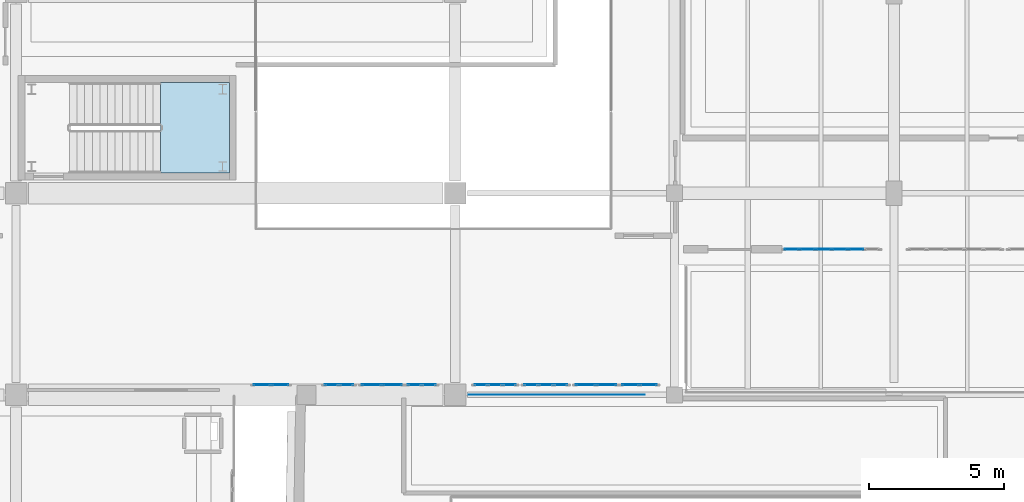
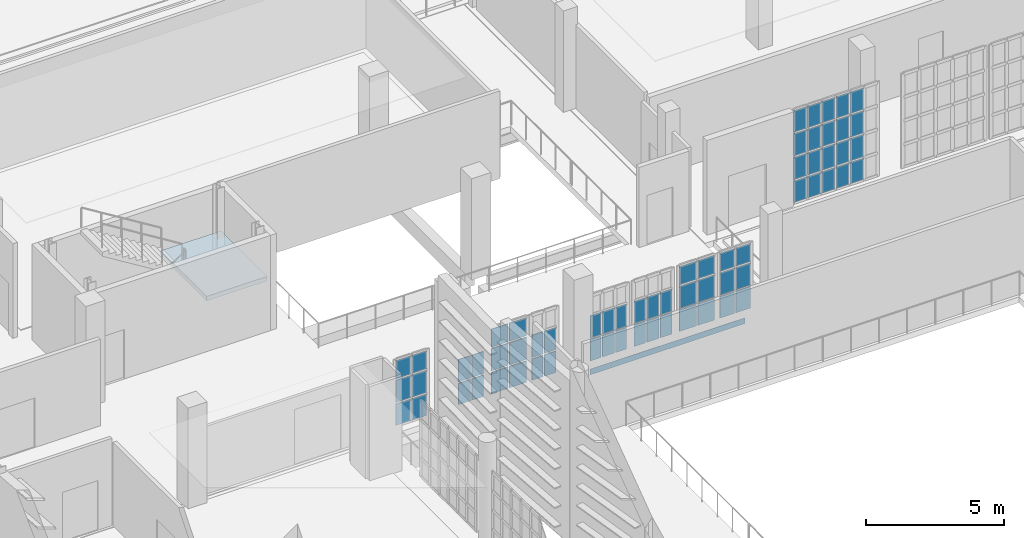
# One storey, part 50 of 73: 64 plates, 2 slabs, 10 elements without a shape of their own.
"""IFC4 building model written with IfcOpenShell, lengths in metres."""

from ifc_helpers import new_model, si_unit, direction, frame, origin, origin_2d, place, context, subcontext, project, spatial, polyline, rectangle, outline, extrude, material, layer, layer_set, type_object, element, aggregate, save


model = new_model("IFC4")

# Units and contexts
model_context = context("Model", 3, precision=1e-05, world=origin(), true_north=direction((0.0, 1.0)))
body_context = subcontext(model_context, "Body", "Model", "MODEL_VIEW")
ifc_project = project(units=[si_unit("LENGTHUNIT", "METRE"), si_unit("AREAUNIT", "SQUARE_METRE"), si_unit("VOLUMEUNIT", "CUBIC_METRE"), si_unit("PLANEANGLEUNIT", "RADIAN"), si_unit("MASSUNIT", "GRAM", prefix="KILO")], contexts=[model_context])

# Site, building, storey
site_placement = place(None, origin())
site = spatial("IfcSite", under=ifc_project, at=site_placement, CompositionType="ELEMENT")
building_placement = place(site_placement, origin())
building = spatial("IfcBuilding", under=site, at=building_placement, Name="Kaelora Sail Theatre", CompositionType="ELEMENT")
storey_placement = place(building_placement, frame((0.0, 0.0, 10.199951171875)))
storey = spatial("IfcBuildingStorey", under=building, at=storey_placement, Name="L02", CompositionType="ELEMENT", Elevation=10.199951171875)

# Curtain wall, plates
ifc_material_1 = material(Name="Anodised aluminium and solar-control low-E IGU", Category="aluminium")
curtain_wall_type = type_object("IfcCurtainWallType", Name="ARC-CW-CW-BRG", PredefinedType="NOTDEFINED", material=ifc_material_1)
curtain_wall_1_placement = place(storey_placement, origin())
curtain_wall_1 = element("IfcCurtainWall", 1, at=curtain_wall_1_placement, inside=storey, type_object=curtain_wall_type, Name="Glazed Foyer/Conservatory Curtain Wall FC1-S-L02-01", PredefinedType="NOTDEFINED")
ifc_material_2 = material(Name="Solar-control laminated low-E glass", Category="glass")
ifc_layer_1 = layer(ifc_material_2, 0.031982421875)
ifc_layer_set_1 = layer_set([ifc_layer_1], Name="Solar-control laminated low-E glass")
plate_type = type_object("IfcPlateType", Name="ARC-CW-PNL", PredefinedType="CURTAIN_PANEL", material=ifc_layer_set_1)
plate_1_placement = place(storey_placement, frame((75.367431640625, 61.389892578125, 0.06982421875), z_axis=(0.0, 0.0, 1.0), x_axis=(1.0, 0.0, 0.0)))
plate_1 = element("IfcPlate", 2, at=plate_1_placement, type_object=plate_type, Name="CW-BRG panel 1.1", PredefinedType="CURTAIN_PANEL", context=body_context, shape_type="SweptSolid", body=[
    extrude(rectangle(XDim=0.614990234375, YDim=0.031982421875, at=origin_2d()), origin(), (0.0, 0.0, 1.0), 0.947509765625),
])
plate_2_placement = place(storey_placement, frame((75.367431640625, 61.389892578125, 1.08740234375), z_axis=(0.0, 0.0, 1.0), x_axis=(1.0, 0.0, 0.0)))
plate_2 = element("IfcPlate", 3, at=plate_2_placement, type_object=plate_type, Name="CW-BRG panel 1.2", PredefinedType="CURTAIN_PANEL", context=body_context, shape_type="SweptSolid", body=[
    extrude(rectangle(XDim=0.614990234375, YDim=0.031982421875, at=origin_2d()), origin(), (0.0, 0.0, 1.0), 0.982421875),
])
plate_3_placement = place(storey_placement, frame((75.367431640625, 61.389892578125, 2.14013671875), z_axis=(0.0, 0.0, 1.0), x_axis=(1.0, 0.0, 0.0)))
plate_3 = element("IfcPlate", 4, at=plate_3_placement, type_object=plate_type, Name="CW-BRG panel 1.3", PredefinedType="CURTAIN_PANEL", context=body_context, shape_type="SweptSolid", body=[
    extrude(rectangle(XDim=0.614990234375, YDim=0.031982421875, at=origin_2d()), origin(), (0.0, 0.0, 1.0), 0.797119140625),
])
plate_4_placement = place(storey_placement, frame((76.04248046875, 61.389892578125, 0.06982421875), z_axis=(0.0, 0.0, 1.0), x_axis=(1.0, 0.0, 0.0)))
plate_4 = element("IfcPlate", 5, at=plate_4_placement, type_object=plate_type, Name="CW-BRG panel 2.1", PredefinedType="CURTAIN_PANEL", context=body_context, shape_type="SweptSolid", body=[
    extrude(rectangle(XDim=0.614990234375, YDim=0.031982421875, at=origin_2d()), origin(), (0.0, 0.0, 1.0), 0.947509765625),
])
plate_5_placement = place(storey_placement, frame((76.04248046875, 61.389892578125, 1.08740234375), z_axis=(0.0, 0.0, 1.0), x_axis=(1.0, 0.0, 0.0)))
plate_5 = element("IfcPlate", 6, at=plate_5_placement, type_object=plate_type, Name="CW-BRG panel 2.2", PredefinedType="CURTAIN_PANEL", context=body_context, shape_type="SweptSolid", body=[
    extrude(rectangle(XDim=0.614990234375, YDim=0.031982421875, at=origin_2d()), origin(), (0.0, 0.0, 1.0), 0.982421875),
])
plate_6_placement = place(storey_placement, frame((76.04248046875, 61.389892578125, 2.14013671875), z_axis=(0.0, 0.0, 1.0), x_axis=(1.0, 0.0, 0.0)))
plate_6 = element("IfcPlate", 7, at=plate_6_placement, type_object=plate_type, Name="CW-BRG panel 2.3", PredefinedType="CURTAIN_PANEL", context=body_context, shape_type="SweptSolid", body=[
    extrude(rectangle(XDim=0.614990234375, YDim=0.031982421875, at=origin_2d()), origin(), (0.0, 0.0, 1.0), 0.797119140625),
])
aggregate(curtain_wall_1, [plate_1, plate_2, plate_3, plate_4, plate_5, plate_6])

curtain_wall_2_placement = place(storey_placement, origin())
curtain_wall_2 = element("IfcCurtainWall", 8, at=curtain_wall_2_placement, inside=storey, type_object=curtain_wall_type, Name="Glazed Foyer/Conservatory Curtain Wall FC1-S-L02-02", PredefinedType="NOTDEFINED")
plate_7_placement = place(storey_placement, frame((77.9375, 61.389892578125, 0.06982421875), z_axis=(0.0, 0.0, 1.0), x_axis=(1.0, 0.0, 0.0)))
plate_7 = element("IfcPlate", 9, at=plate_7_placement, type_object=plate_type, Name="CW-BRG panel 1.1", PredefinedType="CURTAIN_PANEL", context=body_context, shape_type="SweptSolid", body=[
    extrude(rectangle(XDim=0.4951171875, YDim=0.031982421875, at=origin_2d()), origin(), (0.0, 0.0, 1.0), 0.947509765625),
])
plate_8_placement = place(storey_placement, frame((77.9375, 61.389892578125, 1.08740234375), z_axis=(0.0, 0.0, 1.0), x_axis=(1.0, 0.0, 0.0)))
plate_8 = element("IfcPlate", 10, at=plate_8_placement, type_object=plate_type, Name="CW-BRG panel 1.2", PredefinedType="CURTAIN_PANEL", context=body_context, shape_type="SweptSolid", body=[
    extrude(rectangle(XDim=0.4951171875, YDim=0.031982421875, at=origin_2d()), origin(), (0.0, 0.0, 1.0), 0.982421875),
])
plate_9_placement = place(storey_placement, frame((78.492431640625, 61.389892578125, 0.06982421875), z_axis=(0.0, 0.0, 1.0), x_axis=(1.0, 0.0, 0.0)))
plate_9 = element("IfcPlate", 11, at=plate_9_placement, type_object=plate_type, Name="CW-BRG panel 2.1", PredefinedType="CURTAIN_PANEL", context=body_context, shape_type="SweptSolid", body=[
    extrude(rectangle(XDim=0.4951171875, YDim=0.031982421875, at=origin_2d()), origin(), (0.0, 0.0, 1.0), 0.947509765625),
])
plate_10_placement = place(storey_placement, frame((78.492431640625, 61.389892578125, 1.08740234375), z_axis=(0.0, 0.0, 1.0), x_axis=(1.0, 0.0, 0.0)))
plate_10 = element("IfcPlate", 12, at=plate_10_placement, type_object=plate_type, Name="CW-BRG panel 2.2", PredefinedType="CURTAIN_PANEL", context=body_context, shape_type="SweptSolid", body=[
    extrude(rectangle(XDim=0.4951171875, YDim=0.031982421875, at=origin_2d()), origin(), (0.0, 0.0, 1.0), 0.982421875),
])
aggregate(curtain_wall_2, [plate_7, plate_8, plate_9, plate_10])

curtain_wall_3_placement = place(storey_placement, origin())
curtain_wall_3 = element("IfcCurtainWall", 13, at=curtain_wall_3_placement, inside=storey, type_object=curtain_wall_type, Name="Glazed Foyer/Conservatory Curtain Wall FC1-S-L02-03", PredefinedType="NOTDEFINED")
plate_11_placement = place(storey_placement, frame((79.4150390625, 61.389892578125, 0.06982421875), z_axis=(0.0, 0.0, 1.0), x_axis=(1.0, 0.0, 0.0)))
plate_11 = element("IfcPlate", 14, at=plate_11_placement, type_object=plate_type, Name="CW-BRG panel 1.1", PredefinedType="CURTAIN_PANEL", context=body_context, shape_type="SweptSolid", body=[
    extrude(rectangle(XDim=0.7099609375, YDim=0.031982421875, at=origin_2d()), origin(), (0.0, 0.0, 1.0), 0.947509765625),
])
plate_12_placement = place(storey_placement, frame((79.4150390625, 61.389892578125, 1.08740234375), z_axis=(0.0, 0.0, 1.0), x_axis=(1.0, 0.0, 0.0)))
plate_12 = element("IfcPlate", 15, at=plate_12_placement, type_object=plate_type, Name="CW-BRG panel 1.2", PredefinedType="CURTAIN_PANEL", context=body_context, shape_type="SweptSolid", body=[
    extrude(rectangle(XDim=0.7099609375, YDim=0.031982421875, at=origin_2d()), origin(), (0.0, 0.0, 1.0), 0.982421875),
])
plate_13_placement = place(storey_placement, frame((79.4150390625, 61.389892578125, 2.14013671875), z_axis=(0.0, 0.0, 1.0), x_axis=(1.0, 0.0, 0.0)))
plate_13 = element("IfcPlate", 16, at=plate_13_placement, type_object=plate_type, Name="CW-BRG panel 1.3", PredefinedType="CURTAIN_PANEL", context=body_context, shape_type="SweptSolid", body=[
    extrude(rectangle(XDim=0.7099609375, YDim=0.031982421875, at=origin_2d()), origin(), (0.0, 0.0, 1.0), 0.797119140625),
])
plate_14_placement = place(storey_placement, frame((80.18505859375, 61.389892578125, 0.06982421875), z_axis=(0.0, 0.0, 1.0), x_axis=(1.0, 0.0, 0.0)))
plate_14 = element("IfcPlate", 17, at=plate_14_placement, type_object=plate_type, Name="CW-BRG panel 2.1", PredefinedType="CURTAIN_PANEL", context=body_context, shape_type="SweptSolid", body=[
    extrude(rectangle(XDim=0.7099609375, YDim=0.031982421875, at=origin_2d()), origin(), (0.0, 0.0, 1.0), 0.947509765625),
])
plate_15_placement = place(storey_placement, frame((80.18505859375, 61.389892578125, 1.08740234375), z_axis=(0.0, 0.0, 1.0), x_axis=(1.0, 0.0, 0.0)))
plate_15 = element("IfcPlate", 18, at=plate_15_placement, type_object=plate_type, Name="CW-BRG panel 2.2", PredefinedType="CURTAIN_PANEL", context=body_context, shape_type="SweptSolid", body=[
    extrude(rectangle(XDim=0.7099609375, YDim=0.031982421875, at=origin_2d()), origin(), (0.0, 0.0, 1.0), 0.982421875),
])
plate_16_placement = place(storey_placement, frame((80.18505859375, 61.389892578125, 2.14013671875), z_axis=(0.0, 0.0, 1.0), x_axis=(1.0, 0.0, 0.0)))
plate_16 = element("IfcPlate", 19, at=plate_16_placement, type_object=plate_type, Name="CW-BRG panel 2.3", PredefinedType="CURTAIN_PANEL", context=body_context, shape_type="SweptSolid", body=[
    extrude(rectangle(XDim=0.7099609375, YDim=0.031982421875, at=origin_2d()), origin(), (0.0, 0.0, 1.0), 0.797119140625),
])
aggregate(curtain_wall_3, [plate_11, plate_12, plate_13, plate_14, plate_15, plate_16])

curtain_wall_4_placement = place(storey_placement, origin())
curtain_wall_4 = element("IfcCurtainWall", 20, at=curtain_wall_4_placement, inside=storey, type_object=curtain_wall_type, Name="Glazed Foyer/Conservatory Curtain Wall FC1-S-L02-04", PredefinedType="NOTDEFINED")
plate_17_placement = place(storey_placement, frame((81.0, 61.389892578125, 0.06982421875), z_axis=(0.0, 0.0, 1.0), x_axis=(1.0, 0.0, 0.0)))
plate_17 = element("IfcPlate", 21, at=plate_17_placement, type_object=plate_type, Name="CW-BRG panel 1.1", PredefinedType="CURTAIN_PANEL", context=body_context, shape_type="SweptSolid", body=[
    extrude(rectangle(XDim=0.47998046875, YDim=0.031982421875, at=origin_2d()), origin(), (0.0, 0.0, 1.0), 0.947509765625),
])
plate_18_placement = place(storey_placement, frame((81.0, 61.389892578125, 1.08740234375), z_axis=(0.0, 0.0, 1.0), x_axis=(1.0, 0.0, 0.0)))
plate_18 = element("IfcPlate", 22, at=plate_18_placement, type_object=plate_type, Name="CW-BRG panel 1.2", PredefinedType="CURTAIN_PANEL", context=body_context, shape_type="SweptSolid", body=[
    extrude(rectangle(XDim=0.47998046875, YDim=0.031982421875, at=origin_2d()), origin(), (0.0, 0.0, 1.0), 0.982421875),
])
plate_19_placement = place(storey_placement, frame((81.5400390625, 61.389892578125, 0.06982421875), z_axis=(0.0, 0.0, 1.0), x_axis=(1.0, 0.0, 0.0)))
plate_19 = element("IfcPlate", 23, at=plate_19_placement, type_object=plate_type, Name="CW-BRG panel 2.1", PredefinedType="CURTAIN_PANEL", context=body_context, shape_type="SweptSolid", body=[
    extrude(rectangle(XDim=0.47998046875, YDim=0.031982421875, at=origin_2d()), origin(), (0.0, 0.0, 1.0), 0.947509765625),
])
plate_20_placement = place(storey_placement, frame((81.5400390625, 61.389892578125, 1.08740234375), z_axis=(0.0, 0.0, 1.0), x_axis=(1.0, 0.0, 0.0)))
plate_20 = element("IfcPlate", 24, at=plate_20_placement, type_object=plate_type, Name="CW-BRG panel 2.2", PredefinedType="CURTAIN_PANEL", context=body_context, shape_type="SweptSolid", body=[
    extrude(rectangle(XDim=0.47998046875, YDim=0.031982421875, at=origin_2d()), origin(), (0.0, 0.0, 1.0), 0.982421875),
])
aggregate(curtain_wall_4, [plate_17, plate_18, plate_19, plate_20])

curtain_wall_5_placement = place(storey_placement, origin())
curtain_wall_5 = element("IfcCurtainWall", 25, at=curtain_wall_5_placement, inside=storey, type_object=curtain_wall_type, Name="Glazed Foyer/Conservatory Curtain Wall FC1-S-L02-05", PredefinedType="NOTDEFINED")
plate_21_placement = place(storey_placement, frame((83.4482421875, 61.389892578125, 0.06982421875), z_axis=(0.0, 0.0, 1.0), x_axis=(1.0, 0.0, 0.0)))
plate_21 = element("IfcPlate", 26, at=plate_21_placement, type_object=plate_type, Name="CW-BRG panel 1.1", PredefinedType="CURTAIN_PANEL", context=body_context, shape_type="SweptSolid", body=[
    extrude(rectangle(XDim=0.456787109375, YDim=0.031982421875, at=origin_2d()), origin(), (0.0, 0.0, 1.0), 0.947509765625),
])
plate_22_placement = place(storey_placement, frame((83.4482421875, 61.389892578125, 1.08740234375), z_axis=(0.0, 0.0, 1.0), x_axis=(1.0, 0.0, 0.0)))
plate_22 = element("IfcPlate", 27, at=plate_22_placement, type_object=plate_type, Name="CW-BRG panel 1.2", PredefinedType="CURTAIN_PANEL", context=body_context, shape_type="SweptSolid", body=[
    extrude(rectangle(XDim=0.456787109375, YDim=0.031982421875, at=origin_2d()), origin(), (0.0, 0.0, 1.0), 0.982421875),
])
plate_23_placement = place(storey_placement, frame((83.97998046875, 61.389892578125, 0.06982421875), z_axis=(0.0, 0.0, 1.0), x_axis=(1.0, 0.0, 0.0)))
plate_23 = element("IfcPlate", 28, at=plate_23_placement, type_object=plate_type, Name="CW-BRG panel 2.1", PredefinedType="CURTAIN_PANEL", context=body_context, shape_type="SweptSolid", body=[
    extrude(rectangle(XDim=0.486572265625, YDim=0.031982421875, at=origin_2d()), origin(), (0.0, 0.0, 1.0), 0.947509765625),
])
plate_24_placement = place(storey_placement, frame((83.97998046875, 61.389892578125, 1.08740234375), z_axis=(0.0, 0.0, 1.0), x_axis=(1.0, 0.0, 0.0)))
plate_24 = element("IfcPlate", 29, at=plate_24_placement, type_object=plate_type, Name="CW-BRG panel 2.2", PredefinedType="CURTAIN_PANEL", context=body_context, shape_type="SweptSolid", body=[
    extrude(rectangle(XDim=0.486572265625, YDim=0.031982421875, at=origin_2d()), origin(), (0.0, 0.0, 1.0), 0.982421875),
])
plate_25_placement = place(storey_placement, frame((84.51171875, 61.389892578125, 0.06982421875), z_axis=(0.0, 0.0, 1.0), x_axis=(1.0, 0.0, 0.0)))
plate_25 = element("IfcPlate", 30, at=plate_25_placement, type_object=plate_type, Name="CW-BRG panel 3.1", PredefinedType="CURTAIN_PANEL", context=body_context, shape_type="SweptSolid", body=[
    extrude(rectangle(XDim=0.456787109375, YDim=0.031982421875, at=origin_2d()), origin(), (0.0, 0.0, 1.0), 0.947509765625),
])
plate_26_placement = place(storey_placement, frame((84.51171875, 61.389892578125, 1.08740234375), z_axis=(0.0, 0.0, 1.0), x_axis=(1.0, 0.0, 0.0)))
plate_26 = element("IfcPlate", 31, at=plate_26_placement, type_object=plate_type, Name="CW-BRG panel 3.2", PredefinedType="CURTAIN_PANEL", context=body_context, shape_type="SweptSolid", body=[
    extrude(rectangle(XDim=0.456787109375, YDim=0.031982421875, at=origin_2d()), origin(), (0.0, 0.0, 1.0), 0.982421875),
])
aggregate(curtain_wall_5, [plate_21, plate_22, plate_23, plate_24, plate_25, plate_26])

curtain_wall_6_placement = place(storey_placement, origin())
curtain_wall_6 = element("IfcCurtainWall", 32, at=curtain_wall_6_placement, inside=storey, type_object=curtain_wall_type, Name="Glazed Foyer/Conservatory Curtain Wall FC1-S-L02-06", PredefinedType="NOTDEFINED")
plate_27_placement = place(storey_placement, frame((85.29833984375, 61.389892578125, 0.06982421875), z_axis=(0.0, 0.0, 1.0), x_axis=(1.0, 0.0, 0.0)))
plate_27 = element("IfcPlate", 33, at=plate_27_placement, type_object=plate_type, Name="CW-BRG panel 1.1", PredefinedType="CURTAIN_PANEL", context=body_context, shape_type="SweptSolid", body=[
    extrude(rectangle(XDim=0.4765625, YDim=0.031982421875, at=origin_2d()), origin(), (0.0, 0.0, 1.0), 0.947509765625),
])
plate_28_placement = place(storey_placement, frame((85.29833984375, 61.389892578125, 1.08740234375), z_axis=(0.0, 0.0, 1.0), x_axis=(1.0, 0.0, 0.0)))
plate_28 = element("IfcPlate", 34, at=plate_28_placement, type_object=plate_type, Name="CW-BRG panel 1.2", PredefinedType="CURTAIN_PANEL", context=body_context, shape_type="SweptSolid", body=[
    extrude(rectangle(XDim=0.4765625, YDim=0.031982421875, at=origin_2d()), origin(), (0.0, 0.0, 1.0), 0.982421875),
])
plate_29_placement = place(storey_placement, frame((85.85009765625, 61.389892578125, 0.06982421875), z_axis=(0.0, 0.0, 1.0), x_axis=(1.0, 0.0, 0.0)))
plate_29 = element("IfcPlate", 35, at=plate_29_placement, type_object=plate_type, Name="CW-BRG panel 2.1", PredefinedType="CURTAIN_PANEL", context=body_context, shape_type="SweptSolid", body=[
    extrude(rectangle(XDim=0.506591796875, YDim=0.031982421875, at=origin_2d()), origin(), (0.0, 0.0, 1.0), 0.947509765625),
])
plate_30_placement = place(storey_placement, frame((85.85009765625, 61.389892578125, 1.08740234375), z_axis=(0.0, 0.0, 1.0), x_axis=(1.0, 0.0, 0.0)))
plate_30 = element("IfcPlate", 36, at=plate_30_placement, type_object=plate_type, Name="CW-BRG panel 2.2", PredefinedType="CURTAIN_PANEL", context=body_context, shape_type="SweptSolid", body=[
    extrude(rectangle(XDim=0.506591796875, YDim=0.031982421875, at=origin_2d()), origin(), (0.0, 0.0, 1.0), 0.982421875),
])
plate_31_placement = place(storey_placement, frame((86.401611328125, 61.389892578125, 0.06982421875), z_axis=(0.0, 0.0, 1.0), x_axis=(1.0, 0.0, 0.0)))
plate_31 = element("IfcPlate", 37, at=plate_31_placement, type_object=plate_type, Name="CW-BRG panel 3.1", PredefinedType="CURTAIN_PANEL", context=body_context, shape_type="SweptSolid", body=[
    extrude(rectangle(XDim=0.4765625, YDim=0.031982421875, at=origin_2d()), origin(), (0.0, 0.0, 1.0), 0.947509765625),
])
plate_32_placement = place(storey_placement, frame((86.401611328125, 61.389892578125, 1.08740234375), z_axis=(0.0, 0.0, 1.0), x_axis=(1.0, 0.0, 0.0)))
plate_32 = element("IfcPlate", 38, at=plate_32_placement, type_object=plate_type, Name="CW-BRG panel 3.2", PredefinedType="CURTAIN_PANEL", context=body_context, shape_type="SweptSolid", body=[
    extrude(rectangle(XDim=0.4765625, YDim=0.031982421875, at=origin_2d()), origin(), (0.0, 0.0, 1.0), 0.982421875),
])
aggregate(curtain_wall_6, [plate_27, plate_28, plate_29, plate_30, plate_31, plate_32])

curtain_wall_7_placement = place(storey_placement, origin())
curtain_wall_7 = element("IfcCurtainWall", 39, at=curtain_wall_7_placement, inside=storey, type_object=curtain_wall_type, Name="Glazed Foyer/Conservatory Curtain Wall FC1-S-L02-07", PredefinedType="NOTDEFINED")
plate_33_placement = place(storey_placement, frame((87.31494140625, 61.389892578125, 0.06982421875), z_axis=(0.0, 0.0, 1.0), x_axis=(1.0, 0.0, 0.0)))
plate_33 = element("IfcPlate", 40, at=plate_33_placement, type_object=plate_type, Name="CW-BRG panel 1.1", PredefinedType="CURTAIN_PANEL", context=body_context, shape_type="SweptSolid", body=[
    extrude(rectangle(XDim=0.7099609375, YDim=0.031982421875, at=origin_2d()), origin(), (0.0, 0.0, 1.0), 0.947509765625),
])
plate_34_placement = place(storey_placement, frame((87.31494140625, 61.389892578125, 1.08740234375), z_axis=(0.0, 0.0, 1.0), x_axis=(1.0, 0.0, 0.0)))
plate_34 = element("IfcPlate", 41, at=plate_34_placement, type_object=plate_type, Name="CW-BRG panel 1.2", PredefinedType="CURTAIN_PANEL", context=body_context, shape_type="SweptSolid", body=[
    extrude(rectangle(XDim=0.7099609375, YDim=0.031982421875, at=origin_2d()), origin(), (0.0, 0.0, 1.0), 0.982421875),
])
plate_35_placement = place(storey_placement, frame((87.31494140625, 61.389892578125, 2.14013671875), z_axis=(0.0, 0.0, 1.0), x_axis=(1.0, 0.0, 0.0)))
plate_35 = element("IfcPlate", 42, at=plate_35_placement, type_object=plate_type, Name="CW-BRG panel 1.3", PredefinedType="CURTAIN_PANEL", context=body_context, shape_type="SweptSolid", body=[
    extrude(rectangle(XDim=0.7099609375, YDim=0.031982421875, at=origin_2d()), origin(), (0.0, 0.0, 1.0), 0.797119140625),
])
plate_36_placement = place(storey_placement, frame((88.0849609375, 61.389892578125, 0.06982421875), z_axis=(0.0, 0.0, 1.0), x_axis=(1.0, 0.0, 0.0)))
plate_36 = element("IfcPlate", 43, at=plate_36_placement, type_object=plate_type, Name="CW-BRG panel 2.1", PredefinedType="CURTAIN_PANEL", context=body_context, shape_type="SweptSolid", body=[
    extrude(rectangle(XDim=0.7099609375, YDim=0.031982421875, at=origin_2d()), origin(), (0.0, 0.0, 1.0), 0.947509765625),
])
plate_37_placement = place(storey_placement, frame((88.0849609375, 61.389892578125, 1.08740234375), z_axis=(0.0, 0.0, 1.0), x_axis=(1.0, 0.0, 0.0)))
plate_37 = element("IfcPlate", 44, at=plate_37_placement, type_object=plate_type, Name="CW-BRG panel 2.2", PredefinedType="CURTAIN_PANEL", context=body_context, shape_type="SweptSolid", body=[
    extrude(rectangle(XDim=0.7099609375, YDim=0.031982421875, at=origin_2d()), origin(), (0.0, 0.0, 1.0), 0.982421875),
])
plate_38_placement = place(storey_placement, frame((88.0849609375, 61.389892578125, 2.14013671875), z_axis=(0.0, 0.0, 1.0), x_axis=(1.0, 0.0, 0.0)))
plate_38 = element("IfcPlate", 45, at=plate_38_placement, type_object=plate_type, Name="CW-BRG panel 2.3", PredefinedType="CURTAIN_PANEL", context=body_context, shape_type="SweptSolid", body=[
    extrude(rectangle(XDim=0.7099609375, YDim=0.031982421875, at=origin_2d()), origin(), (0.0, 0.0, 1.0), 0.797119140625),
])
aggregate(curtain_wall_7, [plate_33, plate_34, plate_35, plate_36, plate_37, plate_38])

curtain_wall_8_placement = place(storey_placement, origin())
curtain_wall_8 = element("IfcCurtainWall", 46, at=curtain_wall_8_placement, inside=storey, type_object=curtain_wall_type, Name="Glazed Foyer/Conservatory Curtain Wall FC1-S-L02-08", PredefinedType="NOTDEFINED")
plate_39_placement = place(storey_placement, frame((88.965087890625, 61.389892578125, 0.06982421875), z_axis=(0.0, 0.0, 1.0), x_axis=(1.0, 0.0, 0.0)))
plate_39 = element("IfcPlate", 47, at=plate_39_placement, type_object=plate_type, Name="CW-BRG panel 1.1", PredefinedType="CURTAIN_PANEL", context=body_context, shape_type="SweptSolid", body=[
    extrude(rectangle(XDim=0.610107421875, YDim=0.031982421875, at=origin_2d()), origin(), (0.0, 0.0, 1.0), 0.947509765625),
])
plate_40_placement = place(storey_placement, frame((88.965087890625, 61.389892578125, 1.08740234375), z_axis=(0.0, 0.0, 1.0), x_axis=(1.0, 0.0, 0.0)))
plate_40 = element("IfcPlate", 48, at=plate_40_placement, type_object=plate_type, Name="CW-BRG panel 1.2", PredefinedType="CURTAIN_PANEL", context=body_context, shape_type="SweptSolid", body=[
    extrude(rectangle(XDim=0.610107421875, YDim=0.031982421875, at=origin_2d()), origin(), (0.0, 0.0, 1.0), 0.982421875),
])
plate_41_placement = place(storey_placement, frame((88.965087890625, 61.389892578125, 2.14013671875), z_axis=(0.0, 0.0, 1.0), x_axis=(1.0, 0.0, 0.0)))
plate_41 = element("IfcPlate", 49, at=plate_41_placement, type_object=plate_type, Name="CW-BRG panel 1.3", PredefinedType="CURTAIN_PANEL", context=body_context, shape_type="SweptSolid", body=[
    extrude(rectangle(XDim=0.610107421875, YDim=0.031982421875, at=origin_2d()), origin(), (0.0, 0.0, 1.0), 0.797119140625),
])
plate_42_placement = place(storey_placement, frame((89.635009765625, 61.389892578125, 0.06982421875), z_axis=(0.0, 0.0, 1.0), x_axis=(1.0, 0.0, 0.0)))
plate_42 = element("IfcPlate", 50, at=plate_42_placement, type_object=plate_type, Name="CW-BRG panel 2.1", PredefinedType="CURTAIN_PANEL", context=body_context, shape_type="SweptSolid", body=[
    extrude(rectangle(XDim=0.610107421875, YDim=0.031982421875, at=origin_2d()), origin(), (0.0, 0.0, 1.0), 0.947509765625),
])
plate_43_placement = place(storey_placement, frame((89.635009765625, 61.389892578125, 1.08740234375), z_axis=(0.0, 0.0, 1.0), x_axis=(1.0, 0.0, 0.0)))
plate_43 = element("IfcPlate", 51, at=plate_43_placement, type_object=plate_type, Name="CW-BRG panel 2.2", PredefinedType="CURTAIN_PANEL", context=body_context, shape_type="SweptSolid", body=[
    extrude(rectangle(XDim=0.610107421875, YDim=0.031982421875, at=origin_2d()), origin(), (0.0, 0.0, 1.0), 0.982421875),
])
plate_44_placement = place(storey_placement, frame((89.635009765625, 61.389892578125, 2.14013671875), z_axis=(0.0, 0.0, 1.0), x_axis=(1.0, 0.0, 0.0)))
plate_44 = element("IfcPlate", 52, at=plate_44_placement, type_object=plate_type, Name="CW-BRG panel 2.3", PredefinedType="CURTAIN_PANEL", context=body_context, shape_type="SweptSolid", body=[
    extrude(rectangle(XDim=0.610107421875, YDim=0.031982421875, at=origin_2d()), origin(), (0.0, 0.0, 1.0), 0.797119140625),
])
aggregate(curtain_wall_8, [plate_39, plate_40, plate_41, plate_42, plate_43, plate_44])

curtain_wall_9_placement = place(storey_placement, origin())
curtain_wall_9 = element("IfcCurtainWall", 53, at=curtain_wall_9_placement, inside=storey, type_object=curtain_wall_type, Name="Glazed Foyer/Conservatory Curtain Wall FC2-S-L02-01", PredefinedType="NOTDEFINED")
plate_45_placement = place(storey_placement, frame((94.9150390625, 66.389892578125, 0.070068359375), z_axis=(0.0, 0.0, 1.0), x_axis=(1.0, 0.0, 0.0)))
plate_45 = element("IfcPlate", 54, at=plate_45_placement, type_object=plate_type, Name="CW-BRG panel 1.1", PredefinedType="CURTAIN_PANEL", context=body_context, shape_type="SweptSolid", body=[
    extrude(rectangle(XDim=0.510009765625, YDim=0.031982421875, at=origin_2d()), origin(), (0.0, 0.0, 1.0), 0.9462890625),
])
plate_46_placement = place(storey_placement, frame((94.9150390625, 66.389892578125, 1.08642578125), z_axis=(0.0, 0.0, 1.0), x_axis=(1.0, 0.0, 0.0)))
plate_46 = element("IfcPlate", 55, at=plate_46_placement, type_object=plate_type, Name="CW-BRG panel 1.2", PredefinedType="CURTAIN_PANEL", context=body_context, shape_type="SweptSolid", body=[
    extrude(rectangle(XDim=0.510009765625, YDim=0.031982421875, at=origin_2d()), origin(), (0.0, 0.0, 1.0), 0.981201171875),
])
plate_47_placement = place(storey_placement, frame((94.9150390625, 66.389892578125, 2.1376953125), z_axis=(0.0, 0.0, 1.0), x_axis=(1.0, 0.0, 0.0)))
plate_47 = element("IfcPlate", 56, at=plate_47_placement, type_object=plate_type, Name="CW-BRG panel 1.3", PredefinedType="CURTAIN_PANEL", context=body_context, shape_type="SweptSolid", body=[
    extrude(rectangle(XDim=0.510009765625, YDim=0.031982421875, at=origin_2d()), origin(), (0.0, 0.0, 1.0), 0.981201171875),
])
plate_48_placement = place(storey_placement, frame((94.9150390625, 66.389892578125, 3.188720703125), z_axis=(0.0, 0.0, 1.0), x_axis=(1.0, 0.0, 0.0)))
plate_48 = element("IfcPlate", 57, at=plate_48_placement, type_object=plate_type, Name="CW-BRG panel 1.4", PredefinedType="CURTAIN_PANEL", context=body_context, shape_type="SweptSolid", body=[
    extrude(rectangle(XDim=0.510009765625, YDim=0.031982421875, at=origin_2d()), origin(), (0.0, 0.0, 1.0), 0.9462890625),
])
plate_49_placement = place(storey_placement, frame((95.5, 66.389892578125, 0.070068359375), z_axis=(0.0, 0.0, 1.0), x_axis=(1.0, 0.0, 0.0)))
plate_49 = element("IfcPlate", 58, at=plate_49_placement, type_object=plate_type, Name="CW-BRG panel 2.1", PredefinedType="CURTAIN_PANEL", context=body_context, shape_type="SweptSolid", body=[
    extrude(rectangle(XDim=0.5400390625, YDim=0.031982421875, at=origin_2d()), origin(), (0.0, 0.0, 1.0), 0.9462890625),
])
plate_50_placement = place(storey_placement, frame((95.5, 66.389892578125, 1.08642578125), z_axis=(0.0, 0.0, 1.0), x_axis=(1.0, 0.0, 0.0)))
plate_50 = element("IfcPlate", 59, at=plate_50_placement, type_object=plate_type, Name="CW-BRG panel 2.2", PredefinedType="CURTAIN_PANEL", context=body_context, shape_type="SweptSolid", body=[
    extrude(rectangle(XDim=0.5400390625, YDim=0.031982421875, at=origin_2d()), origin(), (0.0, 0.0, 1.0), 0.981201171875),
])
plate_51_placement = place(storey_placement, frame((95.5, 66.389892578125, 2.1376953125), z_axis=(0.0, 0.0, 1.0), x_axis=(1.0, 0.0, 0.0)))
plate_51 = element("IfcPlate", 60, at=plate_51_placement, type_object=plate_type, Name="CW-BRG panel 2.3", PredefinedType="CURTAIN_PANEL", context=body_context, shape_type="SweptSolid", body=[
    extrude(rectangle(XDim=0.5400390625, YDim=0.031982421875, at=origin_2d()), origin(), (0.0, 0.0, 1.0), 0.981201171875),
])
plate_52_placement = place(storey_placement, frame((95.5, 66.389892578125, 3.188720703125), z_axis=(0.0, 0.0, 1.0), x_axis=(1.0, 0.0, 0.0)))
plate_52 = element("IfcPlate", 61, at=plate_52_placement, type_object=plate_type, Name="CW-BRG panel 2.4", PredefinedType="CURTAIN_PANEL", context=body_context, shape_type="SweptSolid", body=[
    extrude(rectangle(XDim=0.5400390625, YDim=0.031982421875, at=origin_2d()), origin(), (0.0, 0.0, 1.0), 0.9462890625),
])
plate_53_placement = place(storey_placement, frame((96.10009765625, 66.389892578125, 0.070068359375), z_axis=(0.0, 0.0, 1.0), x_axis=(1.0, 0.0, 0.0)))
plate_53 = element("IfcPlate", 62, at=plate_53_placement, type_object=plate_type, Name="CW-BRG panel 3.1", PredefinedType="CURTAIN_PANEL", context=body_context, shape_type="SweptSolid", body=[
    extrude(rectangle(XDim=0.5400390625, YDim=0.031982421875, at=origin_2d()), origin(), (0.0, 0.0, 1.0), 0.9462890625),
])
plate_54_placement = place(storey_placement, frame((96.10009765625, 66.389892578125, 1.08642578125), z_axis=(0.0, 0.0, 1.0), x_axis=(1.0, 0.0, 0.0)))
plate_54 = element("IfcPlate", 63, at=plate_54_placement, type_object=plate_type, Name="CW-BRG panel 3.2", PredefinedType="CURTAIN_PANEL", context=body_context, shape_type="SweptSolid", body=[
    extrude(rectangle(XDim=0.5400390625, YDim=0.031982421875, at=origin_2d()), origin(), (0.0, 0.0, 1.0), 0.981201171875),
])
plate_55_placement = place(storey_placement, frame((96.10009765625, 66.389892578125, 2.1376953125), z_axis=(0.0, 0.0, 1.0), x_axis=(1.0, 0.0, 0.0)))
plate_55 = element("IfcPlate", 64, at=plate_55_placement, type_object=plate_type, Name="CW-BRG panel 3.3", PredefinedType="CURTAIN_PANEL", context=body_context, shape_type="SweptSolid", body=[
    extrude(rectangle(XDim=0.5400390625, YDim=0.031982421875, at=origin_2d()), origin(), (0.0, 0.0, 1.0), 0.981201171875),
])
plate_56_placement = place(storey_placement, frame((96.10009765625, 66.389892578125, 3.188720703125), z_axis=(0.0, 0.0, 1.0), x_axis=(1.0, 0.0, 0.0)))
plate_56 = element("IfcPlate", 65, at=plate_56_placement, type_object=plate_type, Name="CW-BRG panel 3.4", PredefinedType="CURTAIN_PANEL", context=body_context, shape_type="SweptSolid", body=[
    extrude(rectangle(XDim=0.5400390625, YDim=0.031982421875, at=origin_2d()), origin(), (0.0, 0.0, 1.0), 0.9462890625),
])
plate_57_placement = place(storey_placement, frame((96.699951171875, 66.389892578125, 0.070068359375), z_axis=(0.0, 0.0, 1.0), x_axis=(1.0, 0.0, 0.0)))
plate_57 = element("IfcPlate", 66, at=plate_57_placement, type_object=plate_type, Name="CW-BRG panel 4.1", PredefinedType="CURTAIN_PANEL", context=body_context, shape_type="SweptSolid", body=[
    extrude(rectangle(XDim=0.5400390625, YDim=0.031982421875, at=origin_2d()), origin(), (0.0, 0.0, 1.0), 0.9462890625),
])
plate_58_placement = place(storey_placement, frame((96.699951171875, 66.389892578125, 1.08642578125), z_axis=(0.0, 0.0, 1.0), x_axis=(1.0, 0.0, 0.0)))
plate_58 = element("IfcPlate", 67, at=plate_58_placement, type_object=plate_type, Name="CW-BRG panel 4.2", PredefinedType="CURTAIN_PANEL", context=body_context, shape_type="SweptSolid", body=[
    extrude(rectangle(XDim=0.5400390625, YDim=0.031982421875, at=origin_2d()), origin(), (0.0, 0.0, 1.0), 0.981201171875),
])
plate_59_placement = place(storey_placement, frame((96.699951171875, 66.389892578125, 2.1376953125), z_axis=(0.0, 0.0, 1.0), x_axis=(1.0, 0.0, 0.0)))
plate_59 = element("IfcPlate", 68, at=plate_59_placement, type_object=plate_type, Name="CW-BRG panel 4.3", PredefinedType="CURTAIN_PANEL", context=body_context, shape_type="SweptSolid", body=[
    extrude(rectangle(XDim=0.5400390625, YDim=0.031982421875, at=origin_2d()), origin(), (0.0, 0.0, 1.0), 0.981201171875),
])
plate_60_placement = place(storey_placement, frame((96.699951171875, 66.389892578125, 3.188720703125), z_axis=(0.0, 0.0, 1.0), x_axis=(1.0, 0.0, 0.0)))
plate_60 = element("IfcPlate", 69, at=plate_60_placement, type_object=plate_type, Name="CW-BRG panel 4.4", PredefinedType="CURTAIN_PANEL", context=body_context, shape_type="SweptSolid", body=[
    extrude(rectangle(XDim=0.5400390625, YDim=0.031982421875, at=origin_2d()), origin(), (0.0, 0.0, 1.0), 0.9462890625),
])
plate_61_placement = place(storey_placement, frame((97.300048828125, 66.389892578125, 0.070068359375), z_axis=(0.0, 0.0, 1.0), x_axis=(1.0, 0.0, 0.0)))
plate_61 = element("IfcPlate", 70, at=plate_61_placement, type_object=plate_type, Name="CW-BRG panel 5.1", PredefinedType="CURTAIN_PANEL", context=body_context, shape_type="SweptSolid", body=[
    extrude(rectangle(XDim=0.5400390625, YDim=0.031982421875, at=origin_2d()), origin(), (0.0, 0.0, 1.0), 0.9462890625),
])
plate_62_placement = place(storey_placement, frame((97.300048828125, 66.389892578125, 1.08642578125), z_axis=(0.0, 0.0, 1.0), x_axis=(1.0, 0.0, 0.0)))
plate_62 = element("IfcPlate", 71, at=plate_62_placement, type_object=plate_type, Name="CW-BRG panel 5.2", PredefinedType="CURTAIN_PANEL", context=body_context, shape_type="SweptSolid", body=[
    extrude(rectangle(XDim=0.5400390625, YDim=0.031982421875, at=origin_2d()), origin(), (0.0, 0.0, 1.0), 0.981201171875),
])
plate_63_placement = place(storey_placement, frame((97.300048828125, 66.389892578125, 2.1376953125), z_axis=(0.0, 0.0, 1.0), x_axis=(1.0, 0.0, 0.0)))
plate_63 = element("IfcPlate", 72, at=plate_63_placement, type_object=plate_type, Name="CW-BRG panel 5.3", PredefinedType="CURTAIN_PANEL", context=body_context, shape_type="SweptSolid", body=[
    extrude(rectangle(XDim=0.5400390625, YDim=0.031982421875, at=origin_2d()), origin(), (0.0, 0.0, 1.0), 0.981201171875),
])
plate_64_placement = place(storey_placement, frame((97.300048828125, 66.389892578125, 3.188720703125), z_axis=(0.0, 0.0, 1.0), x_axis=(1.0, 0.0, 0.0)))
plate_64 = element("IfcPlate", 73, at=plate_64_placement, type_object=plate_type, Name="CW-BRG panel 5.4", PredefinedType="CURTAIN_PANEL", context=body_context, shape_type="SweptSolid", body=[
    extrude(rectangle(XDim=0.5400390625, YDim=0.031982421875, at=origin_2d()), origin(), (0.0, 0.0, 1.0), 0.9462890625),
])
aggregate(curtain_wall_9, [plate_45, plate_46, plate_47, plate_48, plate_49, plate_50, plate_51, plate_52, plate_53, plate_54, plate_55, plate_56, plate_57, plate_58, plate_59, plate_60, plate_61, plate_62, plate_63, plate_64])

# Stair, slab
ifc_material_3 = material(Name="Precast concrete C45/55", Category="concrete")
stair_type = type_object("IfcStairType", Name="ARC-ST-FOY165", PredefinedType="HALF_TURN_STAIR", material=ifc_material_3)
stair_placement = place(storey_placement, origin())
stair = element("IfcStair", 74, at=stair_placement, inside=storey, type_object=stair_type, Name="L02 ST-F1", PredefinedType="HALF_TURN_STAIR")
ifc_material_4 = material(Name="Precast concrete C45/55", Category="concrete")
ifc_layer_2 = layer(ifc_material_4, 0.239990234375)
ifc_layer_set_2 = layer_set([ifc_layer_2], Name="Precast concrete C45/55")
slab_type_1 = type_object("IfcSlabType", Name="ARC-SLB-LND240", PredefinedType="LANDING", material=ifc_layer_set_2)
slab_1_placement = place(storey_placement, frame((0.0, 0.0, 2.050048828125)))
slab_1 = element("IfcSlab", 75, at=slab_1_placement, type_object=slab_type_1, Name="ST-F1 landing 1", PredefinedType="LANDING", context=body_context, shape_type="SweptSolid", body=[
    extrude(outline(polyline([(71.6298828125, 69.199951171875), (74.169921875, 69.199951171875), (74.169921875, 72.550048828125), (71.6298828125, 72.550048828125), (71.6298828125, 69.199951171875)])), origin(), (0.0, 0.0, 1.0), 0.199951171875),
])
aggregate(stair, [slab_1])

# Slab
ifc_material_5 = material(Name="Concrete C40/50", Category="concrete")
ifc_layer_3 = layer(ifc_material_5, 0.2548828125)
ifc_layer_set_3 = layer_set([ifc_layer_3], Name="Concrete C40/50")
slab_type_2 = type_object("IfcSlabType", Name="STR-SLB-SL-RMP255", PredefinedType="LANDING", material=ifc_layer_set_3)
slab_2_placement = place(storey_placement, frame((0.0, 0.0, -0.2548828125)))
element("IfcSlab", 76, at=slab_2_placement, inside=storey, type_object=slab_type_2, Name="Acoustic movement-joint threshold plate JBR-L02-STUD", PredefinedType="LANDING", context=body_context, shape_type="SweptSolid", body=[
    extrude(outline(polyline([(83.0, 61.02099609375), (89.5, 61.02099609375), (89.5, 61.033935546875), (83.0, 61.033935546875), (83.0, 61.02099609375)])), origin(), (0.0, 0.0, 1.0), 0.2548828125),
])

save(model, "model.ifc")
